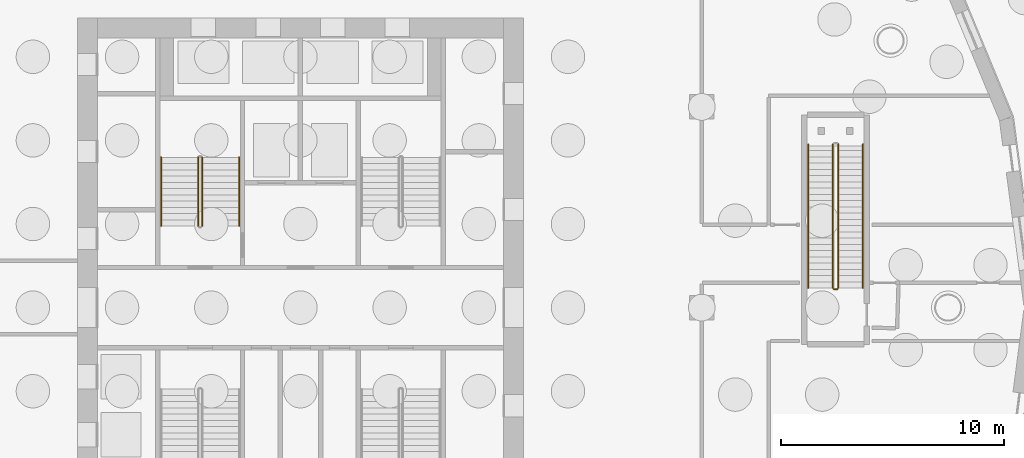
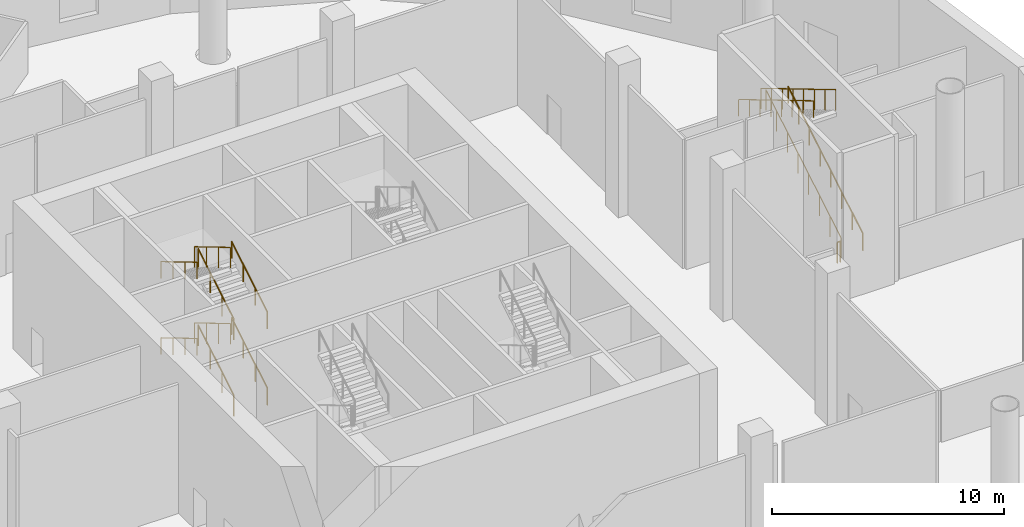
# One storey, part 30 of 34: 13 railings.
"""IFC4 building model written with IfcOpenShell, lengths in metres."""

from ifc_helpers import new_model, si_unit, direction, frame, origin, origin_2d, place, context, subcontext, project, spatial, circle, extrude, material, type_object, element, save


model = new_model("IFC4")

# Units and contexts
model_context = context("Model", 3, precision=1e-05, world=origin(), true_north=direction((0.0, 1.0)))
body_context = subcontext(model_context, "Body", "Model", "MODEL_VIEW")
ifc_project = project(units=[si_unit("LENGTHUNIT", "METRE"), si_unit("AREAUNIT", "SQUARE_METRE"), si_unit("VOLUMEUNIT", "CUBIC_METRE"), si_unit("PLANEANGLEUNIT", "RADIAN"), si_unit("MASSUNIT", "GRAM", prefix="KILO")], contexts=[model_context])

# Site, building, storey
site_placement = place(None, origin())
site = spatial("IfcSite", under=ifc_project, at=site_placement, CompositionType="ELEMENT")
building_placement = place(site_placement, origin())
building = spatial("IfcBuilding", under=site, at=building_placement, Name="Tarsis Ring Headquarters", CompositionType="ELEMENT")
storey_placement = place(building_placement, origin())
storey = spatial("IfcBuildingStorey", under=building, at=storey_placement, Name="L00", CompositionType="ELEMENT", Elevation=0.0)

# Railings
ifc_material_1 = material(Name="Steel S355", Category="steel")
railing_type_1 = type_object("IfcRailingType", Name="Core stair guard 1100", PredefinedType="GUARDRAIL", material=ifc_material_1)
railing_1_placement = place(storey_placement, frame((-4.409912109375, 3.659912109375, 0.166748046875)))
element("IfcRailing", 1, at=railing_1_placement, inside=storey, type_object=railing_type_1, Name="L00 ST1 stair guard 1", PredefinedType="GUARDRAIL", context=body_context, shape_type="SweptSolid", body=[
    extrude(circle(Radius=0.02392578125, at=origin_2d()), frame((0.0, 0.0, 1.076171875), z_axis=(0.0, 0.859308565015, 0.511457515432), x_axis=(-1.0, 0.0, 0.0)), (0.0, 0.0, 1.0), 3.58447265625),
    extrude(circle(Radius=0.02099609375, at=origin_2d()), origin(), (0.0, 0.0, 1.0), 1.052001953125),
    extrude(circle(Radius=0.02099609375, at=origin_2d()), frame((0.0, 1.026611328125, 0.611083984375)), (0.0, 0.0, 1.0), 1.052001953125),
    extrude(circle(Radius=0.02099609375, at=origin_2d()), frame((0.0, 2.053466796875, 1.22216796875)), (0.0, 0.0, 1.0), 1.052001953125),
    extrude(circle(Radius=0.02099609375, at=origin_2d()), frame((0.0, 3.080078125, 1.833251953125)), (0.0, 0.0, 1.0), 1.052001953125),
])
railing_2_placement = place(storey_placement, frame((-4.590087890625, 6.739990234375, 2.166748046875)))
element("IfcRailing", 2, at=railing_2_placement, inside=storey, type_object=railing_type_1, Name="L00 ST1 stair guard 3", PredefinedType="GUARDRAIL", context=body_context, shape_type="SweptSolid", body=[
    extrude(circle(Radius=0.02392578125, at=origin_2d()), frame((0.0, 0.0, 1.076171875), z_axis=(0.0, -0.859308565015, 0.511457515432), x_axis=(1.0, 0.0, 0.0)), (0.0, 0.0, 1.0), 3.58447265625),
    extrude(circle(Radius=0.02099609375, at=origin_2d()), origin(), (0.0, 0.0, 1.0), 1.052001953125),
    extrude(circle(Radius=0.02099609375, at=origin_2d()), frame((0.0, -1.026611328125, 0.611083984375)), (0.0, 0.0, 1.0), 1.052001953125),
    extrude(circle(Radius=0.02099609375, at=origin_2d()), frame((0.0, -2.053466796875, 1.22216796875)), (0.0, 0.0, 1.0), 1.052001953125),
    extrude(circle(Radius=0.02099609375, at=origin_2d()), frame((0.0, -3.080078125, 1.833251953125)), (0.0, 0.0, 1.0), 1.052001953125),
])
railing_3_placement = place(storey_placement, frame((-4.409912109375, 3.659912109375, 4.166748046875)))
element("IfcRailing", 3, at=railing_3_placement, inside=storey, type_object=railing_type_1, Name="L00 ST1 stair guard 5", PredefinedType="GUARDRAIL", context=body_context, shape_type="SweptSolid", body=[
    extrude(circle(Radius=0.02392578125, at=origin_2d()), frame((0.0, 0.0, 1.076171875), z_axis=(0.0, 0.859308565015, 0.511457515432), x_axis=(-1.0, 0.0, 0.0)), (0.0, 0.0, 1.0), 3.58447265625),
    extrude(circle(Radius=0.02099609375, at=origin_2d()), origin(), (0.0, 0.0, 1.0), 1.052001953125),
    extrude(circle(Radius=0.02099609375, at=origin_2d()), frame((0.0, 1.026611328125, 0.611083984375)), (0.0, 0.0, 1.0), 1.052001953125),
    extrude(circle(Radius=0.02099609375, at=origin_2d()), frame((0.0, 2.053466796875, 1.22216796875)), (0.0, 0.0, 1.0), 1.052001953125),
    extrude(circle(Radius=0.02099609375, at=origin_2d()), frame((0.0, 3.080078125, 1.833251953125)), (0.0, 0.0, 1.0), 1.052001953125),
])
railing_4_placement = place(storey_placement, frame((-4.590087890625, 6.739990234375, 6.166748046875)))
element("IfcRailing", 4, at=railing_4_placement, inside=storey, type_object=railing_type_1, Name="L00 ST1 stair guard 7", PredefinedType="GUARDRAIL", context=body_context, shape_type="SweptSolid", body=[
    extrude(circle(Radius=0.02392578125, at=origin_2d()), frame((0.0, 0.0, 1.076171875), z_axis=(0.0, -0.859308565015, 0.511457515432), x_axis=(1.0, 0.0, 0.0)), (0.0, 0.0, 1.0), 3.58447265625),
    extrude(circle(Radius=0.02099609375, at=origin_2d()), origin(), (0.0, 0.0, 1.0), 1.052001953125),
    extrude(circle(Radius=0.02099609375, at=origin_2d()), frame((0.0, -1.026611328125, 0.611083984375)), (0.0, 0.0, 1.0), 1.052001953125),
    extrude(circle(Radius=0.02099609375, at=origin_2d()), frame((0.0, -2.053466796875, 1.22216796875)), (0.0, 0.0, 1.0), 1.052001953125),
    extrude(circle(Radius=0.02099609375, at=origin_2d()), frame((0.0, -3.080078125, 1.833251953125)), (0.0, 0.0, 1.0), 1.052001953125),
])
railing_type_2 = type_object("IfcRailingType", Name="Core stair handrail 900", PredefinedType="HANDRAIL", material=ifc_material_1)
railing_5_placement = place(storey_placement, frame((-2.75, 3.659912109375, 0.166748046875)))
element("IfcRailing", 5, at=railing_5_placement, inside=storey, type_object=railing_type_2, Name="L00 ST1 stair handrail 1", PredefinedType="HANDRAIL", context=body_context, shape_type="SweptSolid", body=[
    extrude(circle(Radius=0.02392578125, at=origin_2d()), frame((0.0, 0.0, 0.8759765625), z_axis=(0.0, 0.859308565015, 0.511457515432), x_axis=(-1.0, 0.0, 0.0)), (0.0, 0.0, 1.0), 3.58447265625),
    extrude(circle(Radius=0.02099609375, at=origin_2d()), origin(), (0.0, 0.0, 1.0), 0.851806640625),
    extrude(circle(Radius=0.02099609375, at=origin_2d()), frame((0.0, 1.026611328125, 0.611083984375)), (0.0, 0.0, 1.0), 0.851806640625),
    extrude(circle(Radius=0.02099609375, at=origin_2d()), frame((0.0, 2.053466796875, 1.22216796875)), (0.0, 0.0, 1.0), 0.851806640625),
    extrude(circle(Radius=0.02099609375, at=origin_2d()), frame((0.0, 3.080078125, 1.833251953125)), (0.0, 0.0, 1.0), 0.851806640625),
])
railing_6_placement = place(storey_placement, frame((-6.25, 6.739990234375, 2.166748046875)))
element("IfcRailing", 6, at=railing_6_placement, inside=storey, type_object=railing_type_2, Name="L00 ST1 stair handrail 2", PredefinedType="HANDRAIL", context=body_context, shape_type="SweptSolid", body=[
    extrude(circle(Radius=0.02392578125, at=origin_2d()), frame((0.0, 0.0, 0.8759765625), z_axis=(0.0, -0.859308565015, 0.511457515432), x_axis=(1.0, 0.0, 0.0)), (0.0, 0.0, 1.0), 3.58447265625),
    extrude(circle(Radius=0.02099609375, at=origin_2d()), origin(), (0.0, 0.0, 1.0), 0.851806640625),
    extrude(circle(Radius=0.02099609375, at=origin_2d()), frame((0.0, -1.026611328125, 0.611083984375)), (0.0, 0.0, 1.0), 0.851806640625),
    extrude(circle(Radius=0.02099609375, at=origin_2d()), frame((0.0, -2.053466796875, 1.22216796875)), (0.0, 0.0, 1.0), 0.851806640625),
    extrude(circle(Radius=0.02099609375, at=origin_2d()), frame((0.0, -3.080078125, 1.833251953125)), (0.0, 0.0, 1.0), 0.851806640625),
])
railing_7_placement = place(storey_placement, frame((-2.75, 3.659912109375, 4.166748046875)))
element("IfcRailing", 7, at=railing_7_placement, inside=storey, type_object=railing_type_2, Name="L00 ST1 stair handrail 3", PredefinedType="HANDRAIL", context=body_context, shape_type="SweptSolid", body=[
    extrude(circle(Radius=0.02392578125, at=origin_2d()), frame((0.0, 0.0, 0.8759765625), z_axis=(0.0, 0.859308565015, 0.511457515432), x_axis=(-1.0, 0.0, 0.0)), (0.0, 0.0, 1.0), 3.58447265625),
    extrude(circle(Radius=0.02099609375, at=origin_2d()), origin(), (0.0, 0.0, 1.0), 0.851806640625),
    extrude(circle(Radius=0.02099609375, at=origin_2d()), frame((0.0, 1.026611328125, 0.611083984375)), (0.0, 0.0, 1.0), 0.851806640625),
    extrude(circle(Radius=0.02099609375, at=origin_2d()), frame((0.0, 2.053466796875, 1.22216796875)), (0.0, 0.0, 1.0), 0.851806640625),
    extrude(circle(Radius=0.02099609375, at=origin_2d()), frame((0.0, 3.080078125, 1.833251953125)), (0.0, 0.0, 1.0), 0.851806640625),
])
railing_8_placement = place(storey_placement, frame((-6.25, 6.739990234375, 6.166748046875)))
element("IfcRailing", 8, at=railing_8_placement, inside=storey, type_object=railing_type_2, Name="L00 ST1 stair handrail 4", PredefinedType="HANDRAIL", context=body_context, shape_type="SweptSolid", body=[
    extrude(circle(Radius=0.02392578125, at=origin_2d()), frame((0.0, 0.0, 0.8759765625), z_axis=(0.0, -0.859308565015, 0.511457515432), x_axis=(1.0, 0.0, 0.0)), (0.0, 0.0, 1.0), 3.58447265625),
    extrude(circle(Radius=0.02099609375, at=origin_2d()), origin(), (0.0, 0.0, 1.0), 0.851806640625),
    extrude(circle(Radius=0.02099609375, at=origin_2d()), frame((0.0, -1.026611328125, 0.611083984375)), (0.0, 0.0, 1.0), 0.851806640625),
    extrude(circle(Radius=0.02099609375, at=origin_2d()), frame((0.0, -2.053466796875, 1.22216796875)), (0.0, 0.0, 1.0), 0.851806640625),
    extrude(circle(Radius=0.02099609375, at=origin_2d()), frame((0.0, -3.080078125, 1.833251953125)), (0.0, 0.0, 1.0), 0.851806640625),
])
ifc_material_2 = material(Name="Stainless steel", Category="steel")
railing_type_3 = type_object("IfcRailingType", Name="PO-RL-G", PredefinedType="GUARDRAIL", material=ifc_material_2)
railing_9_placement = place(storey_placement, frame((24.125, 0.8798828125, 0.166748046875)))
element("IfcRailing", 9, at=railing_9_placement, inside=storey, type_object=railing_type_3, Name="L00 PS1 stair guard 1", PredefinedType="GUARDRAIL", context=body_context, shape_type="SweptSolid", body=[
    extrude(circle(Radius=0.02392578125, at=origin_2d()), frame((0.0, 0.0, 1.076171875), z_axis=(0.0, 0.859304133524, 0.511464960782), x_axis=(-1.0, 0.0, 0.0)), (0.0, 0.0, 1.0), 7.49462890625),
    extrude(circle(Radius=0.02099609375, at=origin_2d()), origin(), (0.0, 0.0, 1.0), 1.052001953125),
    extrude(circle(Radius=0.02099609375, at=origin_2d()), frame((0.0, 0.919921875, 0.547607421875)), (0.0, 0.0, 1.0), 1.052001953125),
    extrude(circle(Radius=0.02099609375, at=origin_2d()), frame((0.0, 1.840087890625, 1.09521484375)), (0.0, 0.0, 1.0), 1.052001953125),
    extrude(circle(Radius=0.02099609375, at=origin_2d()), frame((0.0, 2.760009765625, 1.642822265625)), (0.0, 0.0, 1.0), 1.052001953125),
    extrude(circle(Radius=0.02099609375, at=origin_2d()), frame((0.0, 3.68017578125, 2.1904296875)), (0.0, 0.0, 1.0), 1.052001953125),
    extrude(circle(Radius=0.02099609375, at=origin_2d()), frame((0.0, 4.60009765625, 2.738037109375)), (0.0, 0.0, 1.0), 1.052001953125),
    extrude(circle(Radius=0.02099609375, at=origin_2d()), frame((0.0, 5.520263671875, 3.28564453125)), (0.0, 0.0, 1.0), 1.052001953125),
    extrude(circle(Radius=0.02099609375, at=origin_2d()), frame((0.0, 6.440185546875, 3.833251953125)), (0.0, 0.0, 1.0), 1.052001953125),
])
railing_10_placement = place(storey_placement, frame((23.875, 7.320068359375, 4.166748046875)))
element("IfcRailing", 10, at=railing_10_placement, inside=storey, type_object=railing_type_3, Name="L00 PS1 stair guard 3", PredefinedType="GUARDRAIL", context=body_context, shape_type="SweptSolid", body=[
    extrude(circle(Radius=0.02392578125, at=origin_2d()), frame((0.0, 0.0, 1.076171875), z_axis=(0.0, -0.859304133524, 0.511464960782), x_axis=(1.0, 0.0, 0.0)), (0.0, 0.0, 1.0), 7.49462890625),
    extrude(circle(Radius=0.02099609375, at=origin_2d()), origin(), (0.0, 0.0, 1.0), 1.052001953125),
    extrude(circle(Radius=0.02099609375, at=origin_2d()), frame((0.0, -0.919921875, 0.547607421875)), (0.0, 0.0, 1.0), 1.052001953125),
    extrude(circle(Radius=0.02099609375, at=origin_2d()), frame((0.0, -1.840087890625, 1.09521484375)), (0.0, 0.0, 1.0), 1.052001953125),
    extrude(circle(Radius=0.02099609375, at=origin_2d()), frame((0.0, -2.760009765625, 1.642822265625)), (0.0, 0.0, 1.0), 1.052001953125),
    extrude(circle(Radius=0.02099609375, at=origin_2d()), frame((0.0, -3.68017578125, 2.1904296875)), (0.0, 0.0, 1.0), 1.052001953125),
    extrude(circle(Radius=0.02099609375, at=origin_2d()), frame((0.0, -4.60009765625, 2.738037109375)), (0.0, 0.0, 1.0), 1.052001953125),
    extrude(circle(Radius=0.02099609375, at=origin_2d()), frame((0.0, -5.520263671875, 3.28564453125)), (0.0, 0.0, 1.0), 1.052001953125),
    extrude(circle(Radius=0.02099609375, at=origin_2d()), frame((0.0, -6.440185546875, 3.833251953125)), (0.0, 0.0, 1.0), 1.052001953125),
])
railing_11_placement = place(storey_placement, frame((24.074951171875, 0.830078125, 0.0)))
element("IfcRailing", 11, at=railing_11_placement, inside=storey, type_object=railing_type_3, Name="L00 PS1 stair guard 4", PredefinedType="GUARDRAIL", context=body_context, shape_type="SweptSolid", body=[
    extrude(circle(Radius=0.02392578125, at=origin_2d()), frame((0.0, 0.0, 1.076171875), z_axis=(-1.0, 0.0, 0.0), x_axis=(0.0, -1.0, 0.0)), (0.0, 0.0, 1.0), 0.14990234375),
    extrude(circle(Radius=0.02099609375, at=origin_2d()), origin(), (0.0, 0.0, 1.0), 1.052001953125),
    extrude(circle(Radius=0.02099609375, at=origin_2d()), frame((-0.14990234375, 0.0, 0.0)), (0.0, 0.0, 1.0), 1.052001953125),
])
railing_type_4 = type_object("IfcRailingType", Name="PO-RL-H", PredefinedType="HANDRAIL", material=ifc_material_2)
railing_12_placement = place(storey_placement, frame((25.22509765625, 0.8798828125, 0.166748046875)))
element("IfcRailing", 12, at=railing_12_placement, inside=storey, type_object=railing_type_4, Name="L00 PS1 stair handrail 1", PredefinedType="HANDRAIL", context=body_context, shape_type="SweptSolid", body=[
    extrude(circle(Radius=0.02392578125, at=origin_2d()), frame((0.0, 0.0, 0.8759765625), z_axis=(0.0, 0.859304133524, 0.511464960782), x_axis=(-1.0, 0.0, 0.0)), (0.0, 0.0, 1.0), 7.49462890625),
    extrude(circle(Radius=0.02099609375, at=origin_2d()), origin(), (0.0, 0.0, 1.0), 0.851806640625),
    extrude(circle(Radius=0.02099609375, at=origin_2d()), frame((0.0, 0.919921875, 0.547607421875)), (0.0, 0.0, 1.0), 0.851806640625),
    extrude(circle(Radius=0.02099609375, at=origin_2d()), frame((0.0, 1.840087890625, 1.09521484375)), (0.0, 0.0, 1.0), 0.851806640625),
    extrude(circle(Radius=0.02099609375, at=origin_2d()), frame((0.0, 2.760009765625, 1.642822265625)), (0.0, 0.0, 1.0), 0.851806640625),
    extrude(circle(Radius=0.02099609375, at=origin_2d()), frame((0.0, 3.68017578125, 2.1904296875)), (0.0, 0.0, 1.0), 0.851806640625),
    extrude(circle(Radius=0.02099609375, at=origin_2d()), frame((0.0, 4.60009765625, 2.738037109375)), (0.0, 0.0, 1.0), 0.851806640625),
    extrude(circle(Radius=0.02099609375, at=origin_2d()), frame((0.0, 5.520263671875, 3.28564453125)), (0.0, 0.0, 1.0), 0.851806640625),
    extrude(circle(Radius=0.02099609375, at=origin_2d()), frame((0.0, 6.440185546875, 3.833251953125)), (0.0, 0.0, 1.0), 0.851806640625),
])
railing_13_placement = place(storey_placement, frame((22.77490234375, 7.320068359375, 4.166748046875)))
element("IfcRailing", 13, at=railing_13_placement, inside=storey, type_object=railing_type_4, Name="L00 PS1 stair handrail 2", PredefinedType="HANDRAIL", context=body_context, shape_type="SweptSolid", body=[
    extrude(circle(Radius=0.02392578125, at=origin_2d()), frame((0.0, 0.0, 0.8759765625), z_axis=(0.0, -0.859304133524, 0.511464960782), x_axis=(1.0, 0.0, 0.0)), (0.0, 0.0, 1.0), 7.49462890625),
    extrude(circle(Radius=0.02099609375, at=origin_2d()), origin(), (0.0, 0.0, 1.0), 0.851806640625),
    extrude(circle(Radius=0.02099609375, at=origin_2d()), frame((0.0, -0.919921875, 0.547607421875)), (0.0, 0.0, 1.0), 0.851806640625),
    extrude(circle(Radius=0.02099609375, at=origin_2d()), frame((0.0, -1.840087890625, 1.09521484375)), (0.0, 0.0, 1.0), 0.851806640625),
    extrude(circle(Radius=0.02099609375, at=origin_2d()), frame((0.0, -2.760009765625, 1.642822265625)), (0.0, 0.0, 1.0), 0.851806640625),
    extrude(circle(Radius=0.02099609375, at=origin_2d()), frame((0.0, -3.68017578125, 2.1904296875)), (0.0, 0.0, 1.0), 0.851806640625),
    extrude(circle(Radius=0.02099609375, at=origin_2d()), frame((0.0, -4.60009765625, 2.738037109375)), (0.0, 0.0, 1.0), 0.851806640625),
    extrude(circle(Radius=0.02099609375, at=origin_2d()), frame((0.0, -5.520263671875, 3.28564453125)), (0.0, 0.0, 1.0), 0.851806640625),
    extrude(circle(Radius=0.02099609375, at=origin_2d()), frame((0.0, -6.440185546875, 3.833251953125)), (0.0, 0.0, 1.0), 0.851806640625),
])

save(model, "model.ifc")
